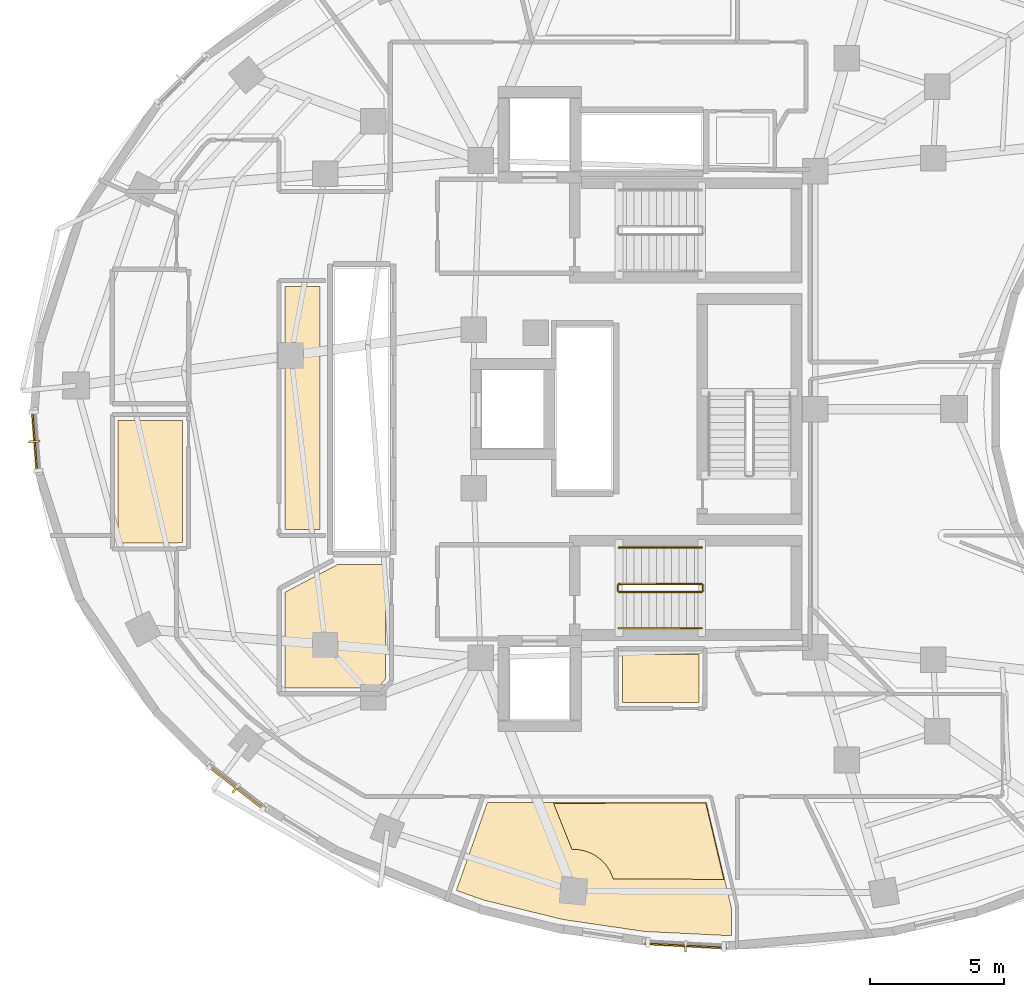
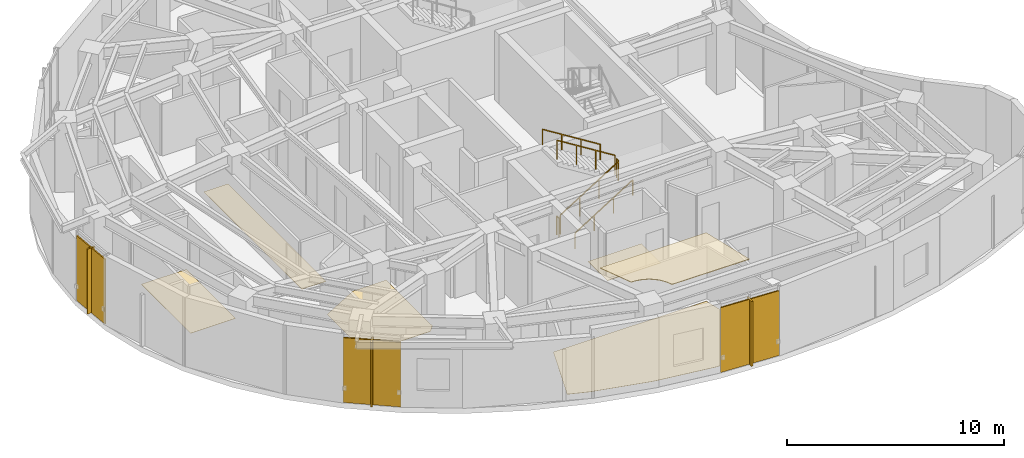
# One storey, part 11 of 13: 6 coverings, 6 railings, 6 shading devices.
"""IFC4 building model written with IfcOpenShell, lengths in metres."""

from ifc_helpers import new_model, si_unit, direction, frame, origin, origin_2d, place, context, subcontext, project, spatial, polyline, rectangle, outline, extrude, material, layer, layer_set, type_object, element, save


model = new_model("IFC4")

# Units and contexts
model_context = context("Model", 3, precision=1e-05, world=origin(), true_north=direction((0.0, 1.0)))
body_context = subcontext(model_context, "Body", "Model", "MODEL_VIEW")
ifc_project = project(units=[si_unit("LENGTHUNIT", "METRE"), si_unit("AREAUNIT", "SQUARE_METRE"), si_unit("VOLUMEUNIT", "CUBIC_METRE"), si_unit("PLANEANGLEUNIT", "RADIAN"), si_unit("MASSUNIT", "GRAM", prefix="KILO")], contexts=[model_context])

# Site, building, storey
site_placement = place(None, origin())
site = spatial("IfcSite", under=ifc_project, at=site_placement, CompositionType="ELEMENT")
building_placement = place(site_placement, origin())
building = spatial("IfcBuilding", under=site, at=building_placement, Name="Korentha Bioscience Tower", CompositionType="ELEMENT")
storey_placement = place(building_placement, frame((0.0, 0.0, 200.39990234375)))
storey = spatial("IfcBuildingStorey", under=building, at=storey_placement, Name="L46", CompositionType="ELEMENT", Elevation=200.39990234375)

# Railings
ifc_material_1 = material(Name="Stainless Steel 304", Category="steel")
railing_type_1 = type_object("IfcRailingType", Name="Brushed Stainless Stair Handrail 900", PredefinedType="HANDRAIL", material=ifc_material_1)
railing_1_placement = place(storey_placement, frame((30.25, 18.85009765625, 0.175048828125)))
element("IfcRailing", 1, at=railing_1_placement, inside=storey, type_object=railing_type_1, Name="L46 ST-2 stair handrail 1", PredefinedType="HANDRAIL", context=body_context, shape_type="SweptSolid", body=[
    extrude(rectangle(XDim=0.048095703125, YDim=0.048095703125, at=origin_2d()), frame((0.0, 0.0, 0.8759765625), z_axis=(0.847998304005, 0.0, 0.529998940003), x_axis=(0.0, 1.0, 0.0)), (0.0, 0.0, 1.0), 3.632080078125),
    extrude(rectangle(XDim=0.0419921875, YDim=0.0419921875, at=origin_2d()), origin(), (0.0, 0.0, 1.0), 0.851806640625),
    extrude(rectangle(XDim=0.0419921875, YDim=0.0419921875, at=origin_2d()), frame((1.026611328125, 0.0, 0.6416015625)), (0.0, 0.0, 1.0), 0.851806640625),
    extrude(rectangle(XDim=0.0419921875, YDim=0.0419921875, at=origin_2d()), frame((2.053466796875, 0.0, 1.283447265625)), (0.0, 0.0, 1.0), 0.851806640625),
    extrude(rectangle(XDim=0.0419921875, YDim=0.0419921875, at=origin_2d()), frame((3.080078125, 0.0, 1.925048828125)), (0.0, 0.0, 1.0), 0.851806640625),
])
railing_2_placement = place(storey_placement, frame((33.330078125, 21.85009765625, 2.275146484375)))
element("IfcRailing", 2, at=railing_2_placement, inside=storey, type_object=railing_type_1, Name="L46 ST-2 stair handrail 2", PredefinedType="HANDRAIL", context=body_context, shape_type="SweptSolid", body=[
    extrude(rectangle(XDim=0.048095703125, YDim=0.048095703125, at=origin_2d()), frame((0.0, 0.0, 0.8759765625), z_axis=(-0.847998304005, 0.0, 0.529998940003), x_axis=(0.0, -1.0, 0.0)), (0.0, 0.0, 1.0), 3.632080078125),
    extrude(rectangle(XDim=0.0419921875, YDim=0.0419921875, at=origin_2d()), origin(), (0.0, 0.0, 1.0), 0.851806640625),
    extrude(rectangle(XDim=0.0419921875, YDim=0.0419921875, at=origin_2d()), frame((-1.026611328125, 0.0, 0.6416015625)), (0.0, 0.0, 1.0), 0.851806640625),
    extrude(rectangle(XDim=0.0419921875, YDim=0.0419921875, at=origin_2d()), frame((-2.053466796875, 0.0, 1.283447265625)), (0.0, 0.0, 1.0), 0.851806640625),
    extrude(rectangle(XDim=0.0419921875, YDim=0.0419921875, at=origin_2d()), frame((-3.080078125, 0.0, 1.925048828125)), (0.0, 0.0, 1.0), 0.851806640625),
])

# Covering
ifc_material_2 = material(Name="Antimicrobial Mineral Fibre Board", Category="gypsum")
ifc_layer_1 = layer(ifc_material_2, 0.034912109375, Name="Antimicrobial Mineral Fibre Board")
ifc_layer_set_1 = layer_set([ifc_layer_1], Name="Antimicrobial Mineral Fibre Board (CL-MF35)")
covering_type_1 = type_object("IfcCoveringType", Name="Mineral-Fibre Cleanroom Suspended Ceiling 35", PredefinedType="CEILING", material=ifc_layer_set_1)
covering_1_placement = place(storey_placement, frame((0.0, 0.0, 3.864990234375)))
element("IfcCovering", 3, at=covering_1_placement, inside=storey, type_object=covering_type_1, Name="L46 Principal Investigator Office 03 Acoustic Ceiling", PredefinedType="CEILING", context=body_context, shape_type="SweptSolid", body=[
    extrude(outline(polyline([(34.149658203125, 9.504638671875), (30.03662109375, 9.52734375), (29.920654296875, 9.80712890625), (29.751953125, 10.059814453125), (29.649658203125, 10.172607421875), (29.414794921875, 10.365234375), (29.284423828125, 10.443603515625), (29.003662109375, 10.559814453125), (28.70556640625, 10.618896484375), (28.497314453125, 10.623779296875), (27.814697265625, 12.337646484375), (33.4775390625, 12.33984375), (34.149658203125, 9.504638671875)])), origin(), (0.0, 0.0, 1.0), 0.03515625),
])

# Railings
ifc_material_3 = material(Name="Painted Steel S275", Category="steel")
railing_type_2 = type_object("IfcRailingType", Name="Painted Steel Stair Well Guardrail 1100", PredefinedType="GUARDRAIL", material=ifc_material_3)
railing_3_placement = place(storey_placement, frame((30.25, 20.199951171875, 0.175048828125)))
element("IfcRailing", 4, at=railing_3_placement, inside=storey, type_object=railing_type_2, Name="L46 ST-2 stair guard 1", PredefinedType="GUARDRAIL", context=body_context, shape_type="SweptSolid", body=[
    extrude(rectangle(XDim=0.048095703125, YDim=0.048095703125, at=origin_2d()), frame((0.0, 0.0, 1.076171875), z_axis=(0.847998304005, 0.0, 0.529998940003), x_axis=(0.0, 1.0, 0.0)), (0.0, 0.0, 1.0), 3.632080078125),
    extrude(rectangle(XDim=0.0419921875, YDim=0.0419921875, at=origin_2d()), origin(), (0.0, 0.0, 1.0), 1.052001953125),
    extrude(rectangle(XDim=0.0419921875, YDim=0.0419921875, at=origin_2d()), frame((1.026611328125, 0.0, 0.6416015625)), (0.0, 0.0, 1.0), 1.052001953125),
    extrude(rectangle(XDim=0.0419921875, YDim=0.0419921875, at=origin_2d()), frame((2.053466796875, 0.0, 1.283447265625)), (0.0, 0.0, 1.0), 1.052001953125),
    extrude(rectangle(XDim=0.0419921875, YDim=0.0419921875, at=origin_2d()), frame((3.080078125, 0.0, 1.925048828125)), (0.0, 0.0, 1.0), 1.052001953125),
])
railing_4_placement = place(storey_placement, frame((33.3798828125, 20.25, 2.10009765625)))
element("IfcRailing", 5, at=railing_4_placement, inside=storey, type_object=railing_type_2, Name="L46 ST-2 stair guard 2", PredefinedType="GUARDRAIL", context=body_context, shape_type="SweptSolid", body=[
    extrude(rectangle(XDim=0.048095703125, YDim=0.048095703125, at=origin_2d()), frame((0.0, 0.0, 1.076171875), z_axis=(0.0, 1.0, 0.0), x_axis=(-1.0, 0.0, 0.0)), (0.0, 0.0, 1.0), 0.199951171875),
    extrude(rectangle(XDim=0.0419921875, YDim=0.0419921875, at=origin_2d()), origin(), (0.0, 0.0, 1.0), 1.052001953125),
    extrude(rectangle(XDim=0.0419921875, YDim=0.0419921875, at=origin_2d()), frame((0.0, 0.199951171875, 0.0)), (0.0, 0.0, 1.0), 1.052001953125),
])
railing_5_placement = place(storey_placement, frame((33.330078125, 20.5, 2.275146484375)))
element("IfcRailing", 6, at=railing_5_placement, inside=storey, type_object=railing_type_2, Name="L46 ST-2 stair guard 3", PredefinedType="GUARDRAIL", context=body_context, shape_type="SweptSolid", body=[
    extrude(rectangle(XDim=0.048095703125, YDim=0.048095703125, at=origin_2d()), frame((0.0, 0.0, 1.076171875), z_axis=(-0.847998304005, 0.0, 0.529998940003), x_axis=(0.0, -1.0, 0.0)), (0.0, 0.0, 1.0), 3.632080078125),
    extrude(rectangle(XDim=0.0419921875, YDim=0.0419921875, at=origin_2d()), origin(), (0.0, 0.0, 1.0), 1.052001953125),
    extrude(rectangle(XDim=0.0419921875, YDim=0.0419921875, at=origin_2d()), frame((-1.026611328125, 0.0, 0.6416015625)), (0.0, 0.0, 1.0), 1.052001953125),
    extrude(rectangle(XDim=0.0419921875, YDim=0.0419921875, at=origin_2d()), frame((-2.053466796875, 0.0, 1.283447265625)), (0.0, 0.0, 1.0), 1.052001953125),
    extrude(rectangle(XDim=0.0419921875, YDim=0.0419921875, at=origin_2d()), frame((-3.080078125, 0.0, 1.925048828125)), (0.0, 0.0, 1.0), 1.052001953125),
])
railing_6_placement = place(storey_placement, frame((30.199951171875, 20.25, 0.0)))
element("IfcRailing", 7, at=railing_6_placement, inside=storey, type_object=railing_type_2, Name="L46 ST-2 stair guard 4", PredefinedType="GUARDRAIL", context=body_context, shape_type="SweptSolid", body=[
    extrude(rectangle(XDim=0.048095703125, YDim=0.048095703125, at=origin_2d()), frame((0.0, 0.0, 1.076171875), z_axis=(0.0, 1.0, 0.0), x_axis=(-1.0, 0.0, 0.0)), (0.0, 0.0, 1.0), 0.199951171875),
    extrude(rectangle(XDim=0.0419921875, YDim=0.0419921875, at=origin_2d()), origin(), (0.0, 0.0, 1.0), 1.052001953125),
    extrude(rectangle(XDim=0.0419921875, YDim=0.0419921875, at=origin_2d()), frame((0.0, 0.199951171875, 0.0)), (0.0, 0.0, 1.0), 1.052001953125),
])

# Shading devices
ifc_material_4 = material(Name="Perforated Stone-Ceramic Composite", Category="masonry")
ifc_layer_2 = layer(ifc_material_4, 0.06494140625, Name="Perforated Stone-Ceramic Composite")
ifc_layer_set_2 = layer_set([ifc_layer_2], Name="Perforated Stone-Ceramic Composite (CS-01)")
shading_device_type_1 = type_object("IfcShadingDeviceType", Name="Perforated Stone-Ceramic Solar Screen Panel 65", PredefinedType="USERDEFINED", material=ifc_layer_set_2)
shading_device_1_placement = place(storey_placement, frame((8.512939453125, 25.798828125, 0.000244140625), z_axis=(0.0, 0.0, 1.0), x_axis=(0.077987717013, -0.996954319914, 0.0)))
element("IfcShadingDevice", 8, at=shading_device_1_placement, inside=storey, type_object=shading_device_type_1, Name="CW-L46-19 Perforated Stone-Ceramic Solar Screen", ObjectType="SCREEN", PredefinedType="USERDEFINED", context=body_context, shape_type="SweptSolid", body=[
    extrude(rectangle(XDim=2.319091796875, YDim=0.06494140625, at=origin_2d()), origin(), (0.0, 0.0, 1.0), 3.64990234375),
])
shading_device_2_placement = place(storey_placement, frame((16.013671875, 12.910400390625, 0.000244140625), z_axis=(0.0, 0.0, 1.0), x_axis=(0.790346099854, -0.612660625833, 0.0)))
element("IfcShadingDevice", 9, at=shading_device_2_placement, inside=storey, type_object=shading_device_type_1, Name="CW-L46-25 Perforated Stone-Ceramic Solar Screen", ObjectType="SCREEN", PredefinedType="USERDEFINED", context=body_context, shape_type="SweptSolid", body=[
    extrude(rectangle(XDim=2.69921875, YDim=0.06494140625, at=origin_2d()), origin(), (0.0, 0.0, 1.0), 3.64990234375),
])
shading_device_3_placement = place(storey_placement, frame((32.73193359375, 7.03515625, 0.000244140625), z_axis=(0.0, 0.0, 1.0), x_axis=(0.998634603964, -0.052239140168, 0.0)))
element("IfcShadingDevice", 10, at=shading_device_3_placement, inside=storey, type_object=shading_device_type_1, Name="CW-L46-31 Perforated Stone-Ceramic Solar Screen", ObjectType="SCREEN", PredefinedType="USERDEFINED", context=body_context, shape_type="SweptSolid", body=[
    extrude(rectangle(XDim=3.037841796875, YDim=0.06494140625, at=origin_2d()), origin(), (0.0, 0.0, 1.0), 3.64990234375),
])

# Coverings
ifc_material_5 = material(Name="Chemical-Resistant Epoxy Resin", Category="polymer")
ifc_layer_3 = layer(ifc_material_5, 0.011962890625, Name="Chemical-Resistant Epoxy Resin")
ifc_layer_set_3 = layer_set([ifc_layer_3], Name="Chemical-Resistant Epoxy Resin (FL-EPX)")
covering_type_2 = type_object("IfcCoveringType", Name="Seamless Epoxy Laboratory Flooring 12", PredefinedType="FLOORING", material=ifc_layer_set_3)
covering_2_placement = place(storey_placement, origin())
element("IfcCovering", 11, at=covering_2_placement, inside=storey, type_object=covering_type_2, Name="L46 Core Instrumentation and Gas Store Floor Finish", PredefinedType="FLOORING", context=body_context, shape_type="SweptSolid", body=[
    extrude(outline(polyline([(33.22998046875, 17.8701171875), (33.219970703125, 16.080078125), (30.3798828125, 16.080078125), (30.371337890625, 17.8701171875), (33.22998046875, 17.8701171875)])), origin(), (0.0, 0.0, 1.0), 0.01220703125),
])
covering_3_placement = place(storey_placement, origin())
element("IfcCovering", 12, at=covering_3_placement, inside=storey, type_object=covering_type_2, Name="L46 Reclaimed Bank-1 Cold Freezer Alcove Floor Finish", PredefinedType="FLOORING", context=body_context, shape_type="SweptSolid", body=[
    extrude(outline(polyline([(14.02001953125, 22.030029296875), (11.6201171875, 22.02099609375), (11.6201171875, 26.580078125), (14.02001953125, 26.580078125), (14.02001953125, 22.030029296875)])), origin(), (0.0, 0.0, 1.0), 0.01220703125),
])
covering_4_placement = place(storey_placement, origin())
element("IfcCovering", 13, at=covering_4_placement, inside=storey, type_object=covering_type_2, Name="L46 Biospecimen Archive Store 01 Floor Finish", PredefinedType="FLOORING", context=body_context, shape_type="SweptSolid", body=[
    extrude(outline(polyline([(21.570068359375, 21.219970703125), (21.570068359375, 16.97119140625), (21.2841796875, 16.6298828125), (17.830078125, 16.6298828125), (17.830078125, 20.189697265625), (19.78271484375, 21.219970703125), (21.570068359375, 21.219970703125)])), origin(), (0.0, 0.0, 1.0), 0.01220703125),
])
covering_5_placement = place(storey_placement, origin())
element("IfcCovering", 14, at=covering_5_placement, inside=storey, type_object=covering_type_2, Name="L46 Principal Investigator Office 03 Floor Finish", PredefinedType="FLOORING", context=body_context, shape_type="SweptSolid", body=[
    extrude(outline(polyline([(25.352294921875, 12.36669921875), (33.50146484375, 12.369873046875), (34.427978515625, 8.461181640625), (34.427978515625, 7.4091796875), (31.21240234375, 7.5654296875), (28.17431640625, 8.01025390625), (25.229248046875, 8.731689453125), (24.2001953125, 9.09326171875), (25.352294921875, 12.36669921875)])), origin(), (0.0, 0.0, 1.0), 0.01220703125),
])
covering_6_placement = place(storey_placement, origin())
element("IfcCovering", 15, at=covering_6_placement, inside=storey, type_object=covering_type_2, Name="L46 HPLC Chromatography Room 13 Floor Finish", PredefinedType="FLOORING", context=body_context, shape_type="SweptSolid", body=[
    extrude(outline(polyline([(17.830078125, 22.52197265625), (17.830078125, 31.570068359375), (19.1201171875, 31.570068359375), (19.1201171875, 22.522216796875), (17.830078125, 22.52197265625)])), origin(), (0.0, 0.0, 1.0), 0.01220703125),
])

# Shading devices
ifc_material_6 = material(Name="Honed Travertine Limestone", Category="masonry")
ifc_layer_4 = layer(ifc_material_6, 0.080078125, Name="Honed Travertine Limestone")
ifc_layer_set_4 = layer_set([ifc_layer_4], Name="Honed Travertine Limestone (CS-02)")
shading_device_type_2 = type_object("IfcShadingDeviceType", Name="Vertical Honed Limestone Sunshade Fin 80x420", PredefinedType="USERDEFINED", material=ifc_layer_set_4)
for number, where, z_axis, x_axis, name in (
    (16, (8.492919921875, 25.79736328125, 0.000244140625), (0.0, 0.0, 1.0), (0.077987717013, -0.996954319914, 0.0), "CW-L46-19 Limestone Sunshade Fin"),
    (17, (16.00146484375, 12.89453125, 0.000244140625), (0.0, 0.0, 1.0), (0.790346099854, -0.612660625833, 0.0), "CW-L46-25 Limestone Sunshade Fin"),
    (18, (32.73095703125, 7.015380859375, 0.000244140625), (0.0, 0.0, 1.0), (0.998634603964, -0.052239140168, 0.0), "CW-L46-31 Limestone Sunshade Fin"),
):
    element("IfcShadingDevice", number, at=place(storey_placement, frame(where, z_axis=z_axis, x_axis=x_axis)), inside=storey, type_object=shading_device_type_2, Name=name, ObjectType="SCREEN", PredefinedType="USERDEFINED", context=body_context, shape_type="SweptSolid", body=[
        extrude(rectangle(XDim=0.080078125, YDim=0.419921875, at=origin_2d()), origin(), (0.0, 0.0, 1.0), 3.64990234375),
    ])

save(model, "model.ifc")
